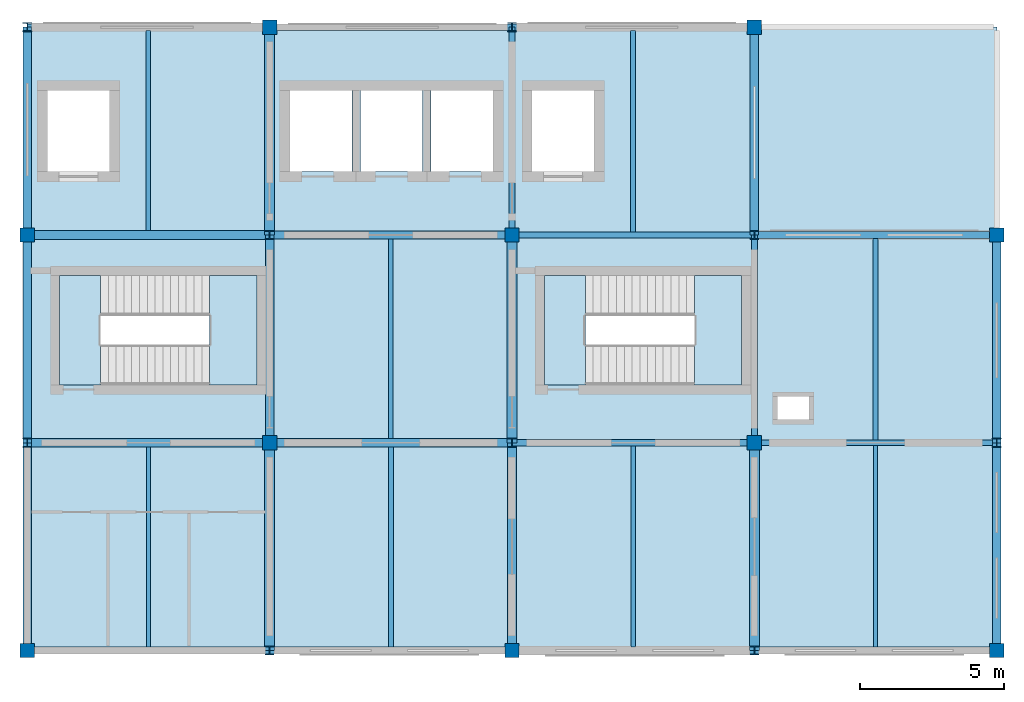
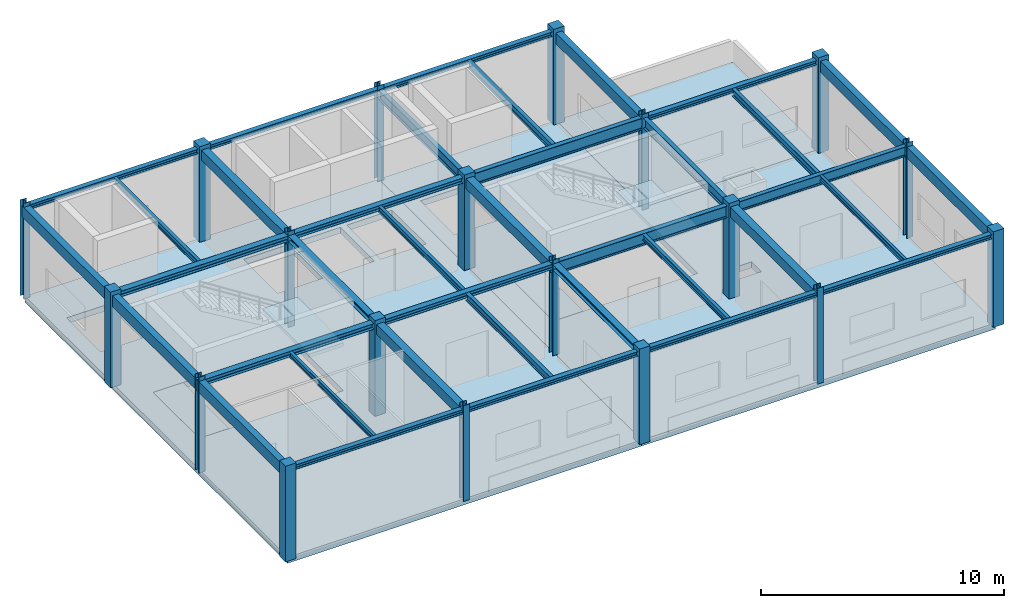
# One storey, part 1 of 5: 37 beams, 19 columns, 7 slabs, 2 elements without a shape of their own.
"""IFC4 building model written with IfcOpenShell, lengths in metres."""

from ifc_helpers import new_model, si_unit, derived_unit, direction, frame, origin, origin_2d, place, context, subcontext, project, spatial, polyline, rectangle, i_section, outline, extrude, material, layer, layer_set, material_profile, profile_set, type_object, element, aggregate, save


model = new_model("IFC4")

# Units and contexts
model_context = context("Model", 3, precision=1e-05, world=origin(), true_north=direction((0.0, 1.0)))
body_context = subcontext(model_context, "Body", "Model", "MODEL_VIEW")
ifc_project = project(units=[si_unit("LENGTHUNIT", "METRE"), si_unit("AREAUNIT", "SQUARE_METRE"), si_unit("VOLUMEUNIT", "CUBIC_METRE"), si_unit("PLANEANGLEUNIT", "RADIAN"), si_unit("MASSUNIT", "GRAM", prefix="KILO"), derived_unit("THERMALTRANSMITTANCEUNIT", [(si_unit("MASSUNIT", "GRAM", prefix="KILO"), 1), (si_unit("TIMEUNIT", "SECOND"), -3), (si_unit("THERMODYNAMICTEMPERATUREUNIT", "KELVIN"), -1)])], contexts=[model_context])

# Site, building, storey
site_placement = place(None, origin())
site = spatial("IfcSite", under=ifc_project, at=site_placement, CompositionType="ELEMENT")
building_placement = place(site_placement, origin())
building = spatial("IfcBuilding", under=site, at=building_placement, Name="Veldstrom Oceanarium and Marine Research Institute", CompositionType="ELEMENT")
storey_placement = place(building_placement, frame((0.0, 0.0, 69.0)))
storey = spatial("IfcBuildingStorey", under=building, at=storey_placement, Name="L15", CompositionType="ELEMENT", Elevation=69.0)

# Columns
ifc_material_1 = material(Name="Concrete C50/60", Category="concrete")
ifc_material_profile_1 = material_profile(ifc_material_1, rectangle(XDim=0.5, YDim=0.5, at=origin_2d()), Name="RC-COL-500x500")
ifc_profile_set_1 = profile_set([ifc_material_profile_1], Name="Concrete C50/60")
column_type_1 = type_object("IfcColumnType", Name="STR-COL-C10", PredefinedType="COLUMN", material=ifc_profile_set_1)
for number, where, z_axis, x_axis, name in (
    (1, (75.60009765625, 43.199951171875, 0.0), (0.0, 0.0, 1.0), (1.0, 0.0, 0.0), "Column C10 10/G L15"),
    (2, (75.60009765625, 57.60009765625, 0.0), (0.0, 0.0, 1.0), (1.0, 0.0, 0.0), "Column C10 10/J L15"),
    (3, (84.0, 50.39990234375, 0.0), (0.0, 0.0, 1.0), (1.0, 0.0, 0.0), "Column C10 11/H L15"),
    (4, (84.0, 64.800048828125, 0.0), (0.0, 0.0, 1.0), (1.0, 0.0, 0.0), "Column C10 11/K L15"),
    (5, (92.39990234375, 43.199951171875, 0.0), (0.0, 0.0, 1.0), (1.0, 0.0, 0.0), "Column C10 12/G L15"),
    (6, (92.39990234375, 57.60009765625, 0.0), (0.0, 0.0, 1.0), (1.0, 0.0, 0.0), "Column C10 12/J L15"),
    (7, (100.800048828125, 50.39990234375, 0.0), (0.0, 0.0, 1.0), (1.0, 0.0, 0.0), "Column C10 13/H L15"),
    (8, (100.800048828125, 64.800048828125, 0.0), (0.0, 0.0, 1.0), (1.0, 0.0, 0.0), "Column C10 13/K L15"),
    (9, (109.199951171875, 43.199951171875, 0.0), (0.0, 0.0, 1.0), (1.0, 0.0, 0.0), "Column C10 14/G L15"),
    (10, (109.199951171875, 57.60009765625, 0.0), (0.0, 0.0, 1.0), (1.0, 0.0, 0.0), "Column C10 14/J L15"),
):
    element("IfcColumn", number, at=place(storey_placement, frame(where, z_axis=z_axis, x_axis=x_axis)), inside=storey, type_object=column_type_1, Name=name, PredefinedType="COLUMN", context=body_context, shape_type="SweptSolid", body=[
        extrude(rectangle(XDim=0.5, YDim=0.5, at=origin_2d()), origin(), (0.0, 0.0, 1.0), 4.800048828125),
    ])
ifc_material_2 = material(Name="Steel S355JR", Category="steel")
ifc_material_profile_2 = material_profile(ifc_material_2, i_section(OverallWidth=0.300048828125, OverallDepth=0.300048828125, WebThickness=0.010986328125, FlangeThickness=0.01904296875, FilletRadius=0.027099609375, at=origin_2d()), Name="HEB 300")
ifc_profile_set_2 = profile_set([ifc_material_profile_2], Name="Steel S355JR")
column_type_2 = type_object("IfcColumnType", Name="STR-COL-C16", PredefinedType="COLUMN", material=ifc_profile_set_2)
for number, where, z_axis, x_axis, name in (
    (11, (75.60009765625, 50.39990234375, 0.0), (0.0, 0.0, 1.0), (1.0, 0.0, 0.0), "Column C16 10/H L15"),
    (12, (75.60009765625, 64.800048828125, 0.0), (0.0, 0.0, 1.0), (1.0, 0.0, 0.0), "Column C16 10/K L15"),
    (13, (84.0, 43.199951171875, 0.0), (0.0, 0.0, 1.0), (1.0, 0.0, 0.0), "Column C16 11/G L15"),
    (14, (84.0, 57.60009765625, 0.0), (0.0, 0.0, 1.0), (1.0, 0.0, 0.0), "Column C16 11/J L15"),
    (15, (92.39990234375, 50.39990234375, 0.0), (0.0, 0.0, 1.0), (1.0, 0.0, 0.0), "Column C16 12/H L15"),
    (16, (92.39990234375, 64.800048828125, 0.0), (0.0, 0.0, 1.0), (1.0, 0.0, 0.0), "Column C16 12/K L15"),
    (17, (100.800048828125, 43.199951171875, 0.0), (0.0, 0.0, 1.0), (1.0, 0.0, 0.0), "Column C16 13/G L15"),
    (18, (100.800048828125, 57.60009765625, 0.0), (0.0, 0.0, 1.0), (1.0, 0.0, 0.0), "Column C16 13/J L15"),
    (19, (109.199951171875, 50.39990234375, 0.0), (0.0, 0.0, 1.0), (1.0, 0.0, 0.0), "Column C16 14/H L15"),
):
    element("IfcColumn", number, at=place(storey_placement, frame(where, z_axis=z_axis, x_axis=x_axis)), inside=storey, type_object=column_type_2, Name=name, PredefinedType="COLUMN", context=body_context, shape_type="SweptSolid", body=[
        extrude(i_section(OverallWidth=0.300048828125, OverallDepth=0.300048828125, WebThickness=0.010986328125, FlangeThickness=0.01904296875, FilletRadius=0.027099609375, at=origin_2d()), origin(), (0.0, 0.0, 1.0), 4.800048828125),
    ])

# Beams
ifc_material_3 = material(Name="Concrete C40/50", Category="concrete")
ifc_material_profile_3 = material_profile(ifc_material_3, rectangle(XDim=0.35009765625, YDim=0.5, at=origin_2d()), Name="RC-BM-350x500")
ifc_profile_set_3 = profile_set([ifc_material_profile_3], Name="Concrete C40/50")
beam_type_1 = type_object("IfcBeamType", Name="STR-BM-B08", PredefinedType="BEAM", material=ifc_profile_set_3)
for number, where, z_axis, x_axis, name in (
    (20, (84.0, 43.199951171875, 4.344970703125), (0.0, 1.0, 0.0), (-1.0, 0.0, 0.0), "Primary Beam B08 L15-2832"),
    (21, (84.0, 57.60009765625, 4.344970703125), (0.0, 1.0, 0.0), (-1.0, 0.0, 0.0), "Primary Beam B08 L15-2834"),
):
    element("IfcBeam", number, at=place(storey_placement, frame(where, z_axis=z_axis, x_axis=x_axis)), inside=storey, type_object=beam_type_1, Name=name, PredefinedType="BEAM", context=body_context, shape_type="SweptSolid", body=[
        extrude(rectangle(XDim=0.35009765625, YDim=0.5, at=origin_2d()), origin(), (0.0, 0.0, 1.0), 7.199951171875),
    ])
beam_1_placement = place(storey_placement, frame((92.39990234375, 50.39990234375, 4.344970703125), z_axis=(0.0, 1.0, 0.0), x_axis=(-1.0, 0.0, 0.0)))
element("IfcBeam", 22, at=beam_1_placement, inside=storey, type_object=beam_type_1, Name="Primary Beam B08 L15-2836", PredefinedType="BEAM", context=body_context, shape_type="SweptSolid", body=[
    extrude(rectangle(XDim=0.35009765625, YDim=0.5, at=origin_2d()), origin(), (0.0, 0.0, 1.0), 7.2001953125),
])
beam_2_placement = place(storey_placement, frame((100.800048828125, 43.199951171875, 4.344970703125), z_axis=(0.0, 1.0, 0.0), x_axis=(-1.0, 0.0, 0.0)))
element("IfcBeam", 23, at=beam_2_placement, inside=storey, type_object=beam_type_1, Name="Primary Beam B08 L15-2838", PredefinedType="BEAM", context=body_context, shape_type="SweptSolid", body=[
    extrude(rectangle(XDim=0.35009765625, YDim=0.5, at=origin_2d()), origin(), (0.0, 0.0, 1.0), 7.199951171875),
])
ifc_material_4 = material(Name="Steel S355JR", Category="steel")
ifc_material_profile_4 = material_profile(ifc_material_4, i_section(OverallWidth=0.300048828125, OverallDepth=0.2900390625, WebThickness=0.008544921875, FlangeThickness=0.013916015625, FilletRadius=0.027099609375, at=origin_2d()), Name="HEA 300")
ifc_profile_set_4 = profile_set([ifc_material_profile_4], Name="Steel S355JR")
beam_type_2 = type_object("IfcBeamType", Name="STR-BM-SB10", PredefinedType="BEAM", material=ifc_profile_set_4)
for number, where, z_axis, x_axis, name in (
    (24, (75.60009765625, 50.39990234375, 4.449951171875), (1.0, 0.0, 0.0), (0.0, 1.0, 0.0), "Steel Floor Girder SB10 L15-2815"),
    (25, (75.60009765625, 57.60009765625, 4.449951171875), (1.0, 0.0, 0.0), (0.0, 1.0, 0.0), "Steel Floor Girder SB10 L15-2816"),
):
    element("IfcBeam", number, at=place(storey_placement, frame(where, z_axis=z_axis, x_axis=x_axis)), inside=storey, type_object=beam_type_2, Name=name, PredefinedType="BEAM", context=body_context, shape_type="SweptSolid", body=[
        extrude(i_section(OverallWidth=0.300048828125, OverallDepth=0.2900390625, WebThickness=0.008544921875, FlangeThickness=0.013916015625, FilletRadius=0.027099609375, at=origin_2d()), origin(), (0.0, 0.0, 1.0), 8.39990234375),
    ])
beam_3_placement = place(storey_placement, frame((84.0, 50.39990234375, 4.449951171875), z_axis=(0.0, 1.0, 0.0), x_axis=(-1.0, 0.0, 0.0)))
element("IfcBeam", 26, at=beam_3_placement, inside=storey, type_object=beam_type_2, Name="Steel Tie Beam SB10 L15-2833", PredefinedType="BEAM", context=body_context, shape_type="SweptSolid", body=[
    extrude(i_section(OverallWidth=0.300048828125, OverallDepth=0.2900390625, WebThickness=0.008544921875, FlangeThickness=0.013916015625, FilletRadius=0.027099609375, at=origin_2d()), origin(), (0.0, 0.0, 1.0), 7.2001953125),
])
beam_4_placement = place(storey_placement, frame((92.39990234375, 43.199951171875, 4.449951171875), z_axis=(0.0, 1.0, 0.0), x_axis=(-1.0, 0.0, 0.0)))
element("IfcBeam", 27, at=beam_4_placement, inside=storey, type_object=beam_type_2, Name="Steel Tie Beam SB10 L15-2835", PredefinedType="BEAM", context=body_context, shape_type="SweptSolid", body=[
    extrude(i_section(OverallWidth=0.300048828125, OverallDepth=0.2900390625, WebThickness=0.008544921875, FlangeThickness=0.013916015625, FilletRadius=0.027099609375, at=origin_2d()), origin(), (0.0, 0.0, 1.0), 7.199951171875),
])
ifc_material_5 = material(Name="Steel S355JR", Category="steel")
ifc_material_profile_5 = material_profile(ifc_material_5, i_section(OverallWidth=0.280029296875, OverallDepth=0.27001953125, WebThickness=0.008056640625, FlangeThickness=0.012939453125, FilletRadius=0.02392578125, at=origin_2d()), Name="HEA 280")
ifc_profile_set_5 = profile_set([ifc_material_profile_5], Name="Steel S355JR")
beam_type_3 = type_object("IfcBeamType", Name="STR-BM-SB11", PredefinedType="BEAM", material=ifc_profile_set_5)
for number, where, z_axis, x_axis, name in (
    (28, (84.0, 50.39990234375, 4.4599609375), (1.0, 0.0, 0.0), (0.0, 1.0, 0.0), "Steel Floor Girder SB11 L15-2819"),
    (29, (84.0, 57.60009765625, 4.4599609375), (1.0, 0.0, 0.0), (0.0, 1.0, 0.0), "Steel Floor Girder SB11 L15-2820"),
):
    element("IfcBeam", number, at=place(storey_placement, frame(where, z_axis=z_axis, x_axis=x_axis)), inside=storey, type_object=beam_type_3, Name=name, PredefinedType="BEAM", context=body_context, shape_type="SweptSolid", body=[
        extrude(i_section(OverallWidth=0.280029296875, OverallDepth=0.27001953125, WebThickness=0.008056640625, FlangeThickness=0.012939453125, FilletRadius=0.02392578125, at=origin_2d()), origin(), (0.0, 0.0, 1.0), 8.39990234375),
    ])
ifc_material_6 = material(Name="Steel S355JR", Category="steel")
ifc_material_profile_6 = material_profile(ifc_material_6, i_section(OverallWidth=0.219970703125, OverallDepth=0.60009765625, WebThickness=0.011962890625, FlangeThickness=0.01904296875, FilletRadius=0.02392578125, at=origin_2d()), Name="IPE 600")
ifc_profile_set_6 = profile_set([ifc_material_profile_6], Name="Steel S355JR")
beam_type_4 = type_object("IfcBeamType", Name="STR-BM-SB5", PredefinedType="BEAM", material=ifc_profile_set_6)
for number, where, z_axis, x_axis, name in (
    (30, (92.39990234375, 50.39990234375, 4.294921875), (1.0, 0.0, 0.0), (0.0, 1.0, 0.0), "Steel Floor Girder SB5 L15-2823"),
    (31, (92.39990234375, 57.60009765625, 4.294921875), (1.0, 0.0, 0.0), (0.0, 1.0, 0.0), "Steel Floor Girder SB5 L15-2824"),
):
    element("IfcBeam", number, at=place(storey_placement, frame(where, z_axis=z_axis, x_axis=x_axis)), inside=storey, type_object=beam_type_4, Name=name, PredefinedType="BEAM", context=body_context, shape_type="SweptSolid", body=[
        extrude(i_section(OverallWidth=0.219970703125, OverallDepth=0.60009765625, WebThickness=0.011962890625, FlangeThickness=0.01904296875, FilletRadius=0.02392578125, at=origin_2d()), origin(), (0.0, 0.0, 1.0), 8.400146484375),
    ])
ifc_material_7 = material(Name="Steel S355JR", Category="steel")
ifc_material_profile_7 = material_profile(ifc_material_7, i_section(OverallWidth=0.199951171875, OverallDepth=0.5, WebThickness=0.01025390625, FlangeThickness=0.01611328125, FilletRadius=0.02099609375, at=origin_2d()), Name="IPE 500")
ifc_profile_set_7 = profile_set([ifc_material_profile_7], Name="Steel S355JR")
beam_type_5 = type_object("IfcBeamType", Name="STR-BM-SB6", PredefinedType="BEAM", material=ifc_profile_set_7)
beam_5_placement = place(storey_placement, frame((100.800048828125, 50.39990234375, 4.344970703125), z_axis=(1.0, 0.0, 0.0), x_axis=(0.0, 1.0, 0.0)))
element("IfcBeam", 32, at=beam_5_placement, inside=storey, type_object=beam_type_5, Name="Steel Floor Girder SB6 L15-2827", PredefinedType="BEAM", context=body_context, shape_type="SweptSolid", body=[
    extrude(i_section(OverallWidth=0.199951171875, OverallDepth=0.5, WebThickness=0.01025390625, FlangeThickness=0.01611328125, FilletRadius=0.02099609375, at=origin_2d()), origin(), (0.0, 0.0, 1.0), 8.39990234375),
])
beam_6_placement = place(storey_placement, frame((92.39990234375, 57.60009765625, 4.344970703125), z_axis=(0.0, 1.0, 0.0), x_axis=(-1.0, 0.0, 0.0)))
element("IfcBeam", 33, at=beam_6_placement, inside=storey, type_object=beam_type_5, Name="Steel Tie Beam SB6 L15-2837", PredefinedType="BEAM", context=body_context, shape_type="SweptSolid", body=[
    extrude(i_section(OverallWidth=0.199951171875, OverallDepth=0.5, WebThickness=0.01025390625, FlangeThickness=0.01611328125, FilletRadius=0.02099609375, at=origin_2d()), origin(), (0.0, 0.0, 1.0), 7.199951171875),
])
beam_7_placement = place(storey_placement, frame((100.800048828125, 50.39990234375, 4.344970703125), z_axis=(0.0, 1.0, 0.0), x_axis=(-1.0, 0.0, 0.0)))
element("IfcBeam", 34, at=beam_7_placement, inside=storey, type_object=beam_type_5, Name="Steel Tie Beam SB6 L15-2839", PredefinedType="BEAM", context=body_context, shape_type="SweptSolid", body=[
    extrude(i_section(OverallWidth=0.199951171875, OverallDepth=0.5, WebThickness=0.01025390625, FlangeThickness=0.01611328125, FilletRadius=0.02099609375, at=origin_2d()), origin(), (0.0, 0.0, 1.0), 7.2001953125),
])
ifc_material_8 = material(Name="Steel S355JR", Category="steel")
ifc_material_profile_8 = material_profile(ifc_material_8, i_section(OverallWidth=0.169921875, OverallDepth=0.360107421875, WebThickness=0.008056640625, FlangeThickness=0.0126953125, FilletRadius=0.01806640625, at=origin_2d()), Name="IPE 360")
ifc_profile_set_8 = profile_set([ifc_material_profile_8], Name="Steel S355JR")
beam_type_6 = type_object("IfcBeamType", Name="STR-JST-SJ1", PredefinedType="JOIST", material=ifc_profile_set_8)
beam_8_placement = place(storey_placement, frame((88.199951171875, 43.320068359375, 4.4150390625), z_axis=(0.0, 1.0, 0.0), x_axis=(-1.0, 0.0, 0.0)))
element("IfcBeam", 35, at=beam_8_placement, inside=storey, type_object=beam_type_6, Name="Secondary Joist SJ1 L15-2845", PredefinedType="JOIST", context=body_context, shape_type="SweptSolid", body=[
    extrude(i_section(OverallWidth=0.169921875, OverallDepth=0.360107421875, WebThickness=0.008056640625, FlangeThickness=0.0126953125, FilletRadius=0.01806640625, at=origin_2d()), origin(), (0.0, 0.0, 1.0), 6.93994140625),
])
beam_9_placement = place(storey_placement, frame((96.60009765625, 57.7099609375, 4.4150390625), z_axis=(0.0, 1.0, 0.0), x_axis=(-1.0, 0.0, 0.0)))
element("IfcBeam", 36, at=beam_9_placement, inside=storey, type_object=beam_type_6, Name="Secondary Joist SJ1 L15-2848", PredefinedType="JOIST", context=body_context, shape_type="SweptSolid", body=[
    extrude(i_section(OverallWidth=0.169921875, OverallDepth=0.360107421875, WebThickness=0.008056640625, FlangeThickness=0.0126953125, FilletRadius=0.01806640625, at=origin_2d()), origin(), (0.0, 0.0, 1.0), 6.969970703125),
])
beam_10_placement = place(storey_placement, frame((105.0, 50.5, 4.4150390625), z_axis=(0.0, 1.0, 0.0), x_axis=(-1.0, 0.0, 0.0)))
element("IfcBeam", 37, at=beam_10_placement, inside=storey, type_object=beam_type_6, Name="Secondary Joist SJ1 L15-2850", PredefinedType="JOIST", context=body_context, shape_type="SweptSolid", body=[
    extrude(i_section(OverallWidth=0.169921875, OverallDepth=0.360107421875, WebThickness=0.008056640625, FlangeThickness=0.0126953125, FilletRadius=0.01806640625, at=origin_2d()), origin(), (0.0, 0.0, 1.0), 6.97998046875),
])
ifc_material_9 = material(Name="Steel S355JR", Category="steel")
ifc_material_profile_9 = material_profile(ifc_material_9, i_section(OverallWidth=0.14990234375, OverallDepth=0.300048828125, WebThickness=0.007080078125, FlangeThickness=0.0107421875, FilletRadius=0.014892578125, at=origin_2d()), Name="IPE 300")
ifc_profile_set_9 = profile_set([ifc_material_profile_9], Name="Steel S355JR")
beam_type_7 = type_object("IfcBeamType", Name="STR-JST-SJ2", PredefinedType="JOIST", material=ifc_profile_set_9)
beam_11_placement = place(storey_placement, frame((79.800048828125, 57.75, 4.445068359375), z_axis=(0.0, 1.0, 0.0), x_axis=(-1.0, 0.0, 0.0)))
element("IfcBeam", 38, at=beam_11_placement, inside=storey, type_object=beam_type_7, Name="Secondary Joist SJ2 L15-2844", PredefinedType="JOIST", context=body_context, shape_type="SweptSolid", body=[
    extrude(i_section(OverallWidth=0.14990234375, OverallDepth=0.300048828125, WebThickness=0.007080078125, FlangeThickness=0.0107421875, FilletRadius=0.014892578125, at=origin_2d()), origin(), (0.0, 0.0, 1.0), 6.929931640625),
])
beam_12_placement = place(storey_placement, frame((88.199951171875, 50.5400390625, 4.445068359375), z_axis=(0.0, 1.0, 0.0), x_axis=(-1.0, 0.0, 0.0)))
element("IfcBeam", 39, at=beam_12_placement, inside=storey, type_object=beam_type_7, Name="Secondary Joist SJ2 L15-2846", PredefinedType="JOIST", context=body_context, shape_type="SweptSolid", body=[
    extrude(i_section(OverallWidth=0.14990234375, OverallDepth=0.300048828125, WebThickness=0.007080078125, FlangeThickness=0.0107421875, FilletRadius=0.014892578125, at=origin_2d()), origin(), (0.0, 0.0, 1.0), 6.919921875),
])
beam_13_placement = place(storey_placement, frame((96.60009765625, 43.320068359375, 4.445068359375), z_axis=(0.0, 1.0, 0.0), x_axis=(-1.0, 0.0, 0.0)))
element("IfcBeam", 40, at=beam_13_placement, inside=storey, type_object=beam_type_7, Name="Secondary Joist SJ2 L15-2847", PredefinedType="JOIST", context=body_context, shape_type="SweptSolid", body=[
    extrude(i_section(OverallWidth=0.14990234375, OverallDepth=0.300048828125, WebThickness=0.007080078125, FlangeThickness=0.0107421875, FilletRadius=0.014892578125, at=origin_2d()), origin(), (0.0, 0.0, 1.0), 6.969970703125),
])
ifc_material_10 = material(Name="Steel S355JR", Category="steel")
ifc_material_profile_10 = material_profile(ifc_material_10, i_section(OverallWidth=0.135009765625, OverallDepth=0.27001953125, WebThickness=0.006591796875, FlangeThickness=0.01025390625, FilletRadius=0.014892578125, at=origin_2d()), Name="IPE 270")
ifc_profile_set_10 = profile_set([ifc_material_profile_10], Name="Steel S355JR")
beam_type_8 = type_object("IfcBeamType", Name="STR-JST-SJ3", PredefinedType="JOIST", material=ifc_profile_set_10)
beam_14_placement = place(storey_placement, frame((79.800048828125, 43.320068359375, 4.4599609375), z_axis=(0.0, 1.0, 0.0), x_axis=(-1.0, 0.0, 0.0)))
element("IfcBeam", 41, at=beam_14_placement, inside=storey, type_object=beam_type_8, Name="Secondary Joist SJ3 L15-2843", PredefinedType="JOIST", context=body_context, shape_type="SweptSolid", body=[
    extrude(i_section(OverallWidth=0.135009765625, OverallDepth=0.27001953125, WebThickness=0.006591796875, FlangeThickness=0.01025390625, FilletRadius=0.014892578125, at=origin_2d()), origin(), (0.0, 0.0, 1.0), 6.929931640625),
])
beam_15_placement = place(storey_placement, frame((105.0, 43.320068359375, 4.4599609375), z_axis=(0.0, 1.0, 0.0), x_axis=(-1.0, 0.0, 0.0)))
element("IfcBeam", 42, at=beam_15_placement, inside=storey, type_object=beam_type_8, Name="Secondary Joist SJ3 L15-2849", PredefinedType="JOIST", context=body_context, shape_type="SweptSolid", body=[
    extrude(i_section(OverallWidth=0.135009765625, OverallDepth=0.27001953125, WebThickness=0.006591796875, FlangeThickness=0.01025390625, FilletRadius=0.014892578125, at=origin_2d()), origin(), (0.0, 0.0, 1.0), 6.97998046875),
])
ifc_material_11 = material(Name="Concrete C40/50", Category="concrete")
ifc_material_profile_11 = material_profile(ifc_material_11, rectangle(XDim=0.300048828125, YDim=0.550048828125, at=origin_2d()), Name="RC-SPN-300x550")
ifc_profile_set_11 = profile_set([ifc_material_profile_11], Name="Concrete C40/50")
beam_type_9 = type_object("IfcBeamType", Name="STR-SPN-SP2", PredefinedType="SPANDREL", material=ifc_profile_set_11)
beam_16_placement = place(storey_placement, frame((75.60009765625, 43.199951171875, 4.320068359375), z_axis=(0.0, 1.0, 0.0), x_axis=(-1.0, 0.0, 0.0)))
element("IfcBeam", 43, at=beam_16_placement, inside=storey, type_object=beam_type_9, Name="Perimeter Spandrel SPB2 L15-2829", PredefinedType="SPANDREL", context=body_context, shape_type="SweptSolid", body=[
    extrude(rectangle(XDim=0.300048828125, YDim=0.550048828125, at=origin_2d()), origin(), (0.0, 0.0, 1.0), 7.199951171875),
])
beam_17_placement = place(storey_placement, frame((75.60009765625, 50.39990234375, 4.320068359375), z_axis=(0.0, 1.0, 0.0), x_axis=(-1.0, 0.0, 0.0)))
element("IfcBeam", 44, at=beam_17_placement, inside=storey, type_object=beam_type_9, Name="Perimeter Spandrel SPB2 L15-2830", PredefinedType="SPANDREL", context=body_context, shape_type="SweptSolid", body=[
    extrude(rectangle(XDim=0.300048828125, YDim=0.550048828125, at=origin_2d()), origin(), (0.0, 0.0, 1.0), 7.2001953125),
])
for number, where, z_axis, x_axis, name in (
    (45, (75.60009765625, 57.60009765625, 4.320068359375), (0.0, 1.0, 0.0), (-1.0, 0.0, 0.0), "Perimeter Spandrel SPB2 L15-2831"),
    (46, (100.800048828125, 57.60009765625, 4.320068359375), (0.0, 1.0, 0.0), (-1.0, 0.0, 0.0), "Perimeter Spandrel SPB2 L15-2840"),
    (47, (109.199951171875, 43.199951171875, 4.320068359375), (0.0, 1.0, 0.0), (-1.0, 0.0, 0.0), "Perimeter Spandrel SPB2 L15-2841"),
):
    element("IfcBeam", number, at=place(storey_placement, frame(where, z_axis=z_axis, x_axis=x_axis)), inside=storey, type_object=beam_type_9, Name=name, PredefinedType="SPANDREL", context=body_context, shape_type="SweptSolid", body=[
        extrude(rectangle(XDim=0.300048828125, YDim=0.550048828125, at=origin_2d()), origin(), (0.0, 0.0, 1.0), 7.199951171875),
    ])
beam_18_placement = place(storey_placement, frame((109.199951171875, 50.39990234375, 4.320068359375), z_axis=(0.0, 1.0, 0.0), x_axis=(-1.0, 0.0, 0.0)))
element("IfcBeam", 48, at=beam_18_placement, inside=storey, type_object=beam_type_9, Name="Perimeter Spandrel SPB2 L15-2842", PredefinedType="SPANDREL", context=body_context, shape_type="SweptSolid", body=[
    extrude(rectangle(XDim=0.300048828125, YDim=0.550048828125, at=origin_2d()), origin(), (0.0, 0.0, 1.0), 7.2001953125),
])
ifc_material_12 = material(Name="Steel S355JR", Category="steel")
ifc_material_profile_12 = material_profile(ifc_material_12, i_section(OverallWidth=0.239990234375, OverallDepth=0.22998046875, WebThickness=0.007568359375, FlangeThickness=0.011962890625, FilletRadius=0.02099609375, at=origin_2d()), Name="HEA 240")
ifc_profile_set_12 = profile_set([ifc_material_profile_12], Name="Steel S355JR")
beam_type_10 = type_object("IfcBeamType", Name="STR-SPN-SP3", PredefinedType="SPANDREL", material=ifc_profile_set_12)
for number, where, z_axis, x_axis, name in (
    (49, (75.60009765625, 43.199951171875, 4.47998046875), (1.0, 0.0, 0.0), (0.0, 1.0, 0.0), "Perimeter Spandrel SPB3 L15-2814"),
    (50, (75.60009765625, 64.800048828125, 4.47998046875), (1.0, 0.0, 0.0), (0.0, 1.0, 0.0), "Perimeter Spandrel SPB3 L15-2817"),
    (51, (84.0, 43.199951171875, 4.47998046875), (1.0, 0.0, 0.0), (0.0, 1.0, 0.0), "Perimeter Spandrel SPB3 L15-2818"),
    (52, (84.0, 64.800048828125, 4.47998046875), (1.0, 0.0, 0.0), (0.0, 1.0, 0.0), "Perimeter Spandrel SPB3 L15-2821"),
):
    element("IfcBeam", number, at=place(storey_placement, frame(where, z_axis=z_axis, x_axis=x_axis)), inside=storey, type_object=beam_type_10, Name=name, PredefinedType="SPANDREL", context=body_context, shape_type="SweptSolid", body=[
        extrude(i_section(OverallWidth=0.239990234375, OverallDepth=0.22998046875, WebThickness=0.007568359375, FlangeThickness=0.011962890625, FilletRadius=0.02099609375, at=origin_2d()), origin(), (0.0, 0.0, 1.0), 8.39990234375),
    ])
for number, where, z_axis, x_axis, name in (
    (53, (92.39990234375, 43.199951171875, 4.47998046875), (1.0, 0.0, 0.0), (0.0, 1.0, 0.0), "Perimeter Spandrel SPB3 L15-2822"),
    (54, (92.39990234375, 64.800048828125, 4.47998046875), (1.0, 0.0, 0.0), (0.0, 1.0, 0.0), "Perimeter Spandrel SPB3 L15-2825"),
):
    element("IfcBeam", number, at=place(storey_placement, frame(where, z_axis=z_axis, x_axis=x_axis)), inside=storey, type_object=beam_type_10, Name=name, PredefinedType="SPANDREL", context=body_context, shape_type="SweptSolid", body=[
        extrude(i_section(OverallWidth=0.239990234375, OverallDepth=0.22998046875, WebThickness=0.007568359375, FlangeThickness=0.011962890625, FilletRadius=0.02099609375, at=origin_2d()), origin(), (0.0, 0.0, 1.0), 8.400146484375),
    ])
for number, where, z_axis, x_axis, name in (
    (55, (100.800048828125, 43.199951171875, 4.47998046875), (1.0, 0.0, 0.0), (0.0, 1.0, 0.0), "Perimeter Spandrel SPB3 L15-2826"),
    (56, (100.800048828125, 57.60009765625, 4.47998046875), (1.0, 0.0, 0.0), (0.0, 1.0, 0.0), "Perimeter Spandrel SPB3 L15-2828"),
):
    element("IfcBeam", number, at=place(storey_placement, frame(where, z_axis=z_axis, x_axis=x_axis)), inside=storey, type_object=beam_type_10, Name=name, PredefinedType="SPANDREL", context=body_context, shape_type="SweptSolid", body=[
        extrude(i_section(OverallWidth=0.239990234375, OverallDepth=0.22998046875, WebThickness=0.007568359375, FlangeThickness=0.011962890625, FilletRadius=0.02099609375, at=origin_2d()), origin(), (0.0, 0.0, 1.0), 8.39990234375),
    ])

# Slabs
ifc_material_13 = material(Name="Concrete C40/50", Category="concrete")
ifc_layer_1 = layer(ifc_material_13, 0.300048828125)
ifc_layer_set_1 = layer_set([ifc_layer_1], Name="STR-SLB-FL0300")
slab_type_1 = type_object("IfcSlabType", Name="STR-SLB-FL0300", PredefinedType="FLOOR", material=ifc_layer_set_1)
slab_1_placement = place(storey_placement, frame((0.0, 0.0, -0.300048828125)))
element("IfcSlab", 57, at=slab_1_placement, inside=storey, type_object=slab_type_1, Name="Slab SF-300 L15 CW", PredefinedType="FLOOR", context=body_context, shape_type="SweptSolid", body=[
    extrude(outline(polyline([(92.39990234375, 43.199951171875), (84.0, 43.199951171875), (75.60009765625, 43.199951171875), (75.60009765625, 50.39990234375), (75.60009765625, 57.60009765625), (75.60009765625, 64.800048828125), (84.0, 64.800048828125), (92.39990234375, 64.800048828125), (92.39990234375, 57.60009765625), (92.39990234375, 50.39990234375), (92.39990234375, 43.199951171875)]), holes=[polyline([(76.719970703125, 52.39990234375), (83.56005859375, 52.39990234375), (83.56005859375, 56.199951171875), (76.719970703125, 56.199951171875), (76.719970703125, 52.39990234375)]), polyline([(78.449951171875, 62.60009765625), (76.300048828125, 62.60009765625), (76.300048828125, 59.800048828125), (78.449951171875, 59.800048828125), (78.449951171875, 62.60009765625)]), polyline([(84.699951171875, 59.800048828125), (86.85009765625, 59.800048828125), (86.85009765625, 62.60009765625), (84.699951171875, 62.60009765625), (84.699951171875, 59.800048828125)]), polyline([(87.14990234375, 62.60009765625), (87.14990234375, 59.800048828125), (89.300048828125, 59.800048828125), (89.300048828125, 62.60009765625), (87.14990234375, 62.60009765625)]), polyline([(91.75, 62.60009765625), (89.60009765625, 62.60009765625), (89.60009765625, 59.800048828125), (91.75, 59.800048828125), (91.75, 62.60009765625)])]), origin(), (0.0, 0.0, 1.0), 0.300048828125),
])
slab_2_placement = place(storey_placement, frame((0.0, 0.0, -0.300048828125)))
element("IfcSlab", 58, at=slab_2_placement, inside=storey, type_object=slab_type_1, Name="Slab SF-300 L15 CE", PredefinedType="FLOOR", context=body_context, shape_type="SweptSolid", body=[
    extrude(outline(polyline([(100.800048828125, 43.199951171875), (92.39990234375, 43.199951171875), (92.39990234375, 50.39990234375), (92.39990234375, 57.60009765625), (92.39990234375, 64.800048828125), (100.800048828125, 64.800048828125), (100.800048828125, 57.60009765625), (109.199951171875, 57.60009765625), (109.199951171875, 50.39990234375), (109.199951171875, 43.199951171875), (100.800048828125, 43.199951171875)]), holes=[polyline([(93.52001953125, 52.39990234375), (100.360107421875, 52.39990234375), (100.360107421875, 56.199951171875), (93.52001953125, 56.199951171875), (93.52001953125, 52.39990234375)]), polyline([(95.25, 62.60009765625), (93.10009765625, 62.60009765625), (93.10009765625, 59.800048828125), (95.25, 59.800048828125), (95.25, 62.60009765625)]), polyline([(102.699951171875, 52.0), (101.60009765625, 52.0), (101.60009765625, 51.199951171875), (102.699951171875, 51.199951171875), (102.699951171875, 52.0)])]), origin(), (0.0, 0.0, 1.0), 0.300048828125),
])

# Stair, slab
ifc_material_14 = material(Name="Concrete C40/50", Category="concrete")
stair_type = type_object("IfcStairType", Name="ARC-STR-ST-480", PredefinedType="TWO_STRAIGHT_RUN_STAIR", material=ifc_material_14)
stair_1_placement = place(storey_placement, origin())
stair_1 = element("IfcStair", 59, at=stair_1_placement, inside=storey, type_object=stair_type, Name="Dog-Leg Escape Stair ST1-L15", PredefinedType="TWO_STRAIGHT_RUN_STAIR")
ifc_material_15 = material(Name="Concrete C40/50", Category="concrete")
ifc_layer_2 = layer(ifc_material_15, 0.179931640625)
ifc_layer_set_2 = layer_set([ifc_layer_2], Name="STR-SLB-LD180")
slab_type_2 = type_object("IfcSlabType", Name="STR-SLB-LD180", PredefinedType="LANDING", material=ifc_layer_set_2)
slab_3_placement = place(storey_placement, frame((0.0, 0.0, 2.219970703125)))
slab_3 = element("IfcSlab", 60, at=slab_3_placement, type_object=slab_type_2, Name="Stair Half-Landing ST1 L15", PredefinedType="LANDING", context=body_context, shape_type="SweptSolid", body=[
    extrude(outline(polyline([(81.919921875, 52.39990234375), (83.56005859375, 52.39990234375), (83.56005859375, 56.199951171875), (81.919921875, 56.199951171875), (81.919921875, 52.39990234375)])), origin(), (0.0, 0.0, 1.0), 0.179931640625),
])
aggregate(stair_1, [slab_3])

stair_2_placement = place(storey_placement, origin())
stair_2 = element("IfcStair", 61, at=stair_2_placement, inside=storey, type_object=stair_type, Name="Dog-Leg Escape Stair ST2-L15", PredefinedType="TWO_STRAIGHT_RUN_STAIR")
slab_4_placement = place(storey_placement, frame((0.0, 0.0, 2.219970703125)))
slab_4 = element("IfcSlab", 62, at=slab_4_placement, type_object=slab_type_2, Name="Stair Half-Landing ST2 L15", PredefinedType="LANDING", context=body_context, shape_type="SweptSolid", body=[
    extrude(outline(polyline([(98.719970703125, 52.39990234375), (100.360107421875, 52.39990234375), (100.360107421875, 56.199951171875), (98.719970703125, 56.199951171875), (98.719970703125, 52.39990234375)])), origin(), (0.0, 0.0, 1.0), 0.179931640625),
])
aggregate(stair_2, [slab_4])

# Slabs
ifc_material_16 = material(Name="Concrete C40/50", Category="concrete")
ifc_layer_3 = layer(ifc_material_16, 0.199951171875)
ifc_layer_set_3 = layer_set([ifc_layer_3], Name="STR-SLB-LD200")
slab_type_3 = type_object("IfcSlabType", Name="STR-SLB-LD200", PredefinedType="LANDING", material=ifc_layer_set_3)
slab_5_placement = place(storey_placement, frame((0.0, 0.0, -0.199951171875)))
element("IfcSlab", 63, at=slab_5_placement, inside=storey, type_object=slab_type_3, Name="Stair Floor Landing ST1 L15", PredefinedType="LANDING", context=body_context, shape_type="SweptSolid", body=[
    extrude(outline(polyline([(76.719970703125, 52.39990234375), (78.139892578125, 52.39990234375), (78.139892578125, 56.199951171875), (76.719970703125, 56.199951171875), (76.719970703125, 52.39990234375)])), origin(), (0.0, 0.0, 1.0), 0.199951171875),
])
slab_6_placement = place(storey_placement, frame((0.0, 0.0, -0.199951171875)))
element("IfcSlab", 64, at=slab_6_placement, inside=storey, type_object=slab_type_3, Name="Stair Floor Landing ST2 L15", PredefinedType="LANDING", context=body_context, shape_type="SweptSolid", body=[
    extrude(outline(polyline([(93.52001953125, 52.39990234375), (94.93994140625, 52.39990234375), (94.93994140625, 56.199951171875), (93.52001953125, 56.199951171875), (93.52001953125, 52.39990234375)])), origin(), (0.0, 0.0, 1.0), 0.199951171875),
])
ifc_material_17 = material(Name="Concrete C40/50", Category="concrete")
ifc_layer_4 = layer(ifc_material_17, 0.199951171875)
ifc_layer_set_4 = layer_set([ifc_layer_4], Name="STR-SLB-RF0200")
slab_type_4 = type_object("IfcSlabType", Name="STR-SLB-RF0200", PredefinedType="ROOF", material=ifc_layer_set_4)
slab_7_placement = place(storey_placement, frame((0.0, 0.0, -0.199951171875)))
element("IfcSlab", 65, at=slab_7_placement, inside=storey, type_object=slab_type_4, Name="Maintenance Roof Slab L14", PredefinedType="ROOF", context=body_context, shape_type="SweptSolid", body=[
    extrude(outline(polyline([(109.199951171875, 57.60009765625), (109.199951171875, 64.800048828125), (100.800048828125, 64.800048828125), (100.800048828125, 57.60009765625), (109.199951171875, 57.60009765625)])), origin(), (0.0, 0.0, 1.0), 0.199951171875),
])

save(model, "model.ifc")
